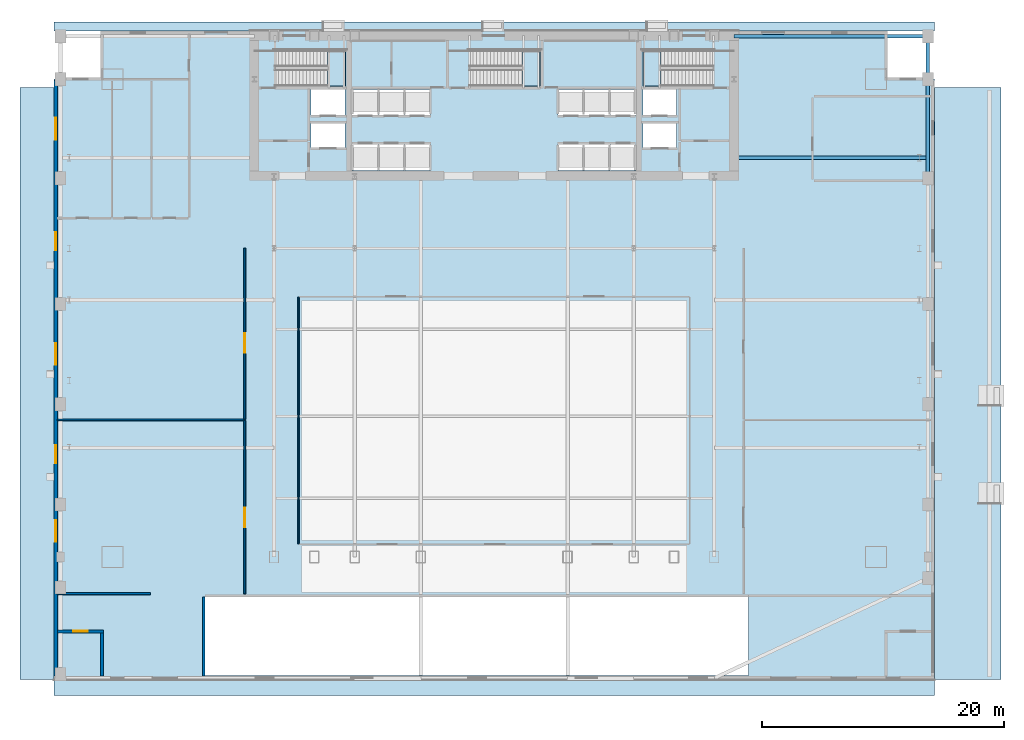
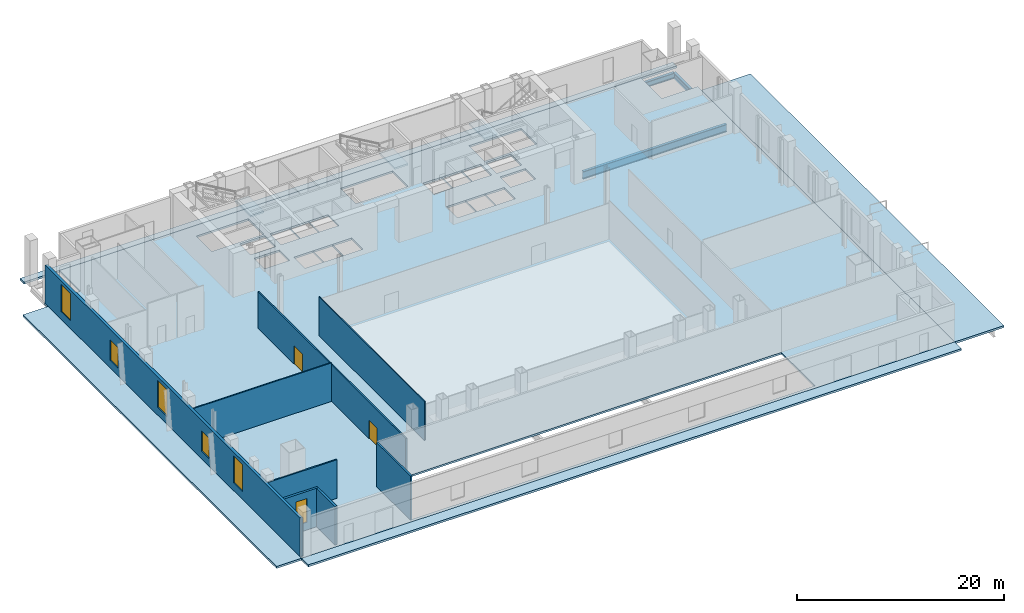
# One storey, part 7 of 16: 9 walls, 8 slabs, 6 windows, 3 beams, 2 doors, 8 openings, 3 elements without a shape of their own.
"""IFC4 building model written with IfcOpenShell, lengths in metres."""

from ifc_helpers import new_model, si_unit, direction, frame, frame_2d, origin, origin_2d, place, context, subcontext, project, spatial, polyline, rectangle, i_section, outline, extrude, material, layer, layer_set, material_profile, profile_set, type_object, element, fill, aggregate, save


model = new_model("IFC4")

# Units and contexts
model_context = context("Model", 3, precision=1e-05, world=origin(), true_north=direction((0.0, 1.0)))
body_context = subcontext(model_context, "Body", "Model", "MODEL_VIEW")
ifc_project = project(units=[si_unit("LENGTHUNIT", "METRE"), si_unit("AREAUNIT", "SQUARE_METRE"), si_unit("VOLUMEUNIT", "CUBIC_METRE"), si_unit("PLANEANGLEUNIT", "RADIAN"), si_unit("MASSUNIT", "GRAM", prefix="KILO")], contexts=[model_context])

# Site, building, storey
site_placement = place(None, origin())
site = spatial("IfcSite", under=ifc_project, at=site_placement, CompositionType="ELEMENT")
building_placement = place(site_placement, origin())
building = spatial("IfcBuilding", under=site, at=building_placement, Name="Khoronbel Lancet Exchange", CompositionType="ELEMENT")
storey_placement = place(building_placement, origin())
storey = spatial("IfcBuildingStorey", under=building, at=storey_placement, Name="L00", CompositionType="ELEMENT", Elevation=0.0)

# Beams
ifc_material_1 = material(Name="Steel S355", Category="steel")
ifc_material_profile_1 = material_profile(ifc_material_1, i_section(OverallWidth=0.300048828125, OverallDepth=0.89990234375, WebThickness=0.0185546875, FlangeThickness=0.034912109375, at=origin_2d()), Name="HEB 900")
ifc_profile_set_1 = profile_set([ifc_material_profile_1], Name="Steel S355")
beam_type_1 = type_object("IfcBeamType", Name="BM-BG1", PredefinedType="BEAM", material=ifc_profile_set_1)
beam_1_placement = place(storey_placement, frame((56.300048828125, 43.199951171875, -0.669921875), z_axis=(1.0, 0.0, 0.0), x_axis=(0.0, 1.0, 0.0)))
element("IfcBeam", 1, at=beam_1_placement, inside=storey, type_object=beam_type_1, Name="Level L00 east lens tie girder LG3E", PredefinedType="BEAM", context=body_context, shape_type="SweptSolid", body=[
    extrude(i_section(OverallWidth=0.300048828125, OverallDepth=0.89990234375, WebThickness=0.0185546875, FlangeThickness=0.034912109375, at=origin_2d()), origin(), (0.0, 0.0, 1.0), 16.050048828125),
])
ifc_material_profile_2 = material_profile(ifc_material_1, i_section(OverallWidth=0.300048828125, OverallDepth=0.64990234375, WebThickness=0.01611328125, FlangeThickness=0.031005859375, at=origin_2d()), Name="HEB 650")
ifc_profile_set_2 = profile_set([ifc_material_profile_2], Name="Steel S355")
beam_type_2 = type_object("IfcBeamType", Name="BM-BSP1", PredefinedType="SPANDREL", material=ifc_profile_set_2)
beam_2_placement = place(storey_placement, frame((72.35009765625, 41.5, -0.574951171875), z_axis=(0.0, 1.0, 0.0), x_axis=(-1.0, 0.0, 0.0)))
element("IfcBeam", 2, at=beam_2_placement, inside=storey, type_object=beam_type_2, Name="Level L00 perimeter spandrel beam SP12", PredefinedType="SPANDREL", context=body_context, shape_type="SweptSolid", body=[
    extrude(i_section(OverallWidth=0.300048828125, OverallDepth=0.64990234375, WebThickness=0.01611328125, FlangeThickness=0.031005859375, at=origin_2d()), origin(), (0.0, 0.0, 1.0), 11.75),
])
beam_3_placement = place(storey_placement, frame((72.35009765625, 53.25, -0.574951171875), z_axis=(-1.0, 0.0, 0.0), x_axis=(0.0, -1.0, 0.0)))
element("IfcBeam", 3, at=beam_3_placement, inside=storey, type_object=beam_type_2, Name="Level L00 perimeter spandrel beam SP13", PredefinedType="SPANDREL", context=body_context, shape_type="SweptSolid", body=[
    extrude(i_section(OverallWidth=0.300048828125, OverallDepth=0.64990234375, WebThickness=0.01611328125, FlangeThickness=0.031005859375, at=origin_2d()), origin(), (0.0, 0.0, 1.0), 16.050048828125),
])

# Slabs
ifc_material_2 = material(Name="Concrete C40/50", Category="concrete")
ifc_layer_1 = layer(ifc_material_2, 0.239990234375, Name="Concrete C40/50")
ifc_layer_set_1 = layer_set([ifc_layer_1], Name="Concrete C40/50")
slab_type_1 = type_object("IfcSlabType", Name="SL-APR220", PredefinedType="FLOOR", material=ifc_layer_set_1)
slab_1_placement = place(storey_placement, frame((0.0, 0.0, -0.239990234375)))
element("IfcSlab", 4, at=slab_1_placement, inside=storey, type_object=slab_type_1, Name="Level L00 east boulevard colonnade and vehicle ramp apron", PredefinedType="FLOOR", context=body_context, shape_type="SweptSolid", body=[
    extrude(outline(polyline([(72.89990234375, 0.0), (78.39990234375, 0.0), (78.39990234375, 49.0), (72.89990234375, 49.0), (72.89990234375, 0.0)])), origin(), (0.0, 0.0, 1.0), 0.239990234375),
])
slab_2_placement = place(storey_placement, frame((0.0, 0.0, -0.239990234375)))
element("IfcSlab", 5, at=slab_2_placement, inside=storey, type_object=slab_type_1, Name="Level L00 west boulevard colonnade apron", PredefinedType="FLOOR", context=body_context, shape_type="SweptSolid", body=[
    extrude(outline(polyline([(-2.800048828125, 0.0), (0.0, 0.0), (0.0, 49.0), (-2.800048828125, 49.0), (-2.800048828125, 0.0)])), origin(), (0.0, 0.0, 1.0), 0.239990234375),
])
slab_3_placement = place(storey_placement, frame((0.0, 0.0, -0.239990234375)))
element("IfcSlab", 6, at=slab_3_placement, inside=storey, type_object=slab_type_1, Name="Level L00 north boulevard exit discharge plaza apron", PredefinedType="FLOOR", context=body_context, shape_type="SweptSolid", body=[
    extrude(outline(polyline([(0.0, 53.699951171875), (72.89990234375, 53.699951171875), (72.89990234375, 54.449951171875), (0.0, 54.449951171875), (0.0, 53.699951171875)])), origin(), (0.0, 0.0, 1.0), 0.239990234375),
])
slab_4_placement = place(storey_placement, frame((0.0, 0.0, -0.239990234375)))
element("IfcSlab", 7, at=slab_4_placement, inside=storey, type_object=slab_type_1, Name="Level L00 south ceremonial plaza threshold apron", PredefinedType="FLOOR", context=body_context, shape_type="SweptSolid", body=[
    extrude(outline(polyline([(0.0, -1.300048828125), (72.89990234375, -1.300048828125), (72.89990234375, 0.0), (0.0, 0.0), (0.0, -1.300048828125)])), origin(), (0.0, 0.0, 1.0), 0.239990234375),
])
ifc_layer_2 = layer(ifc_material_2, 0.219970703125, Name="Concrete C40/50")
ifc_layer_set_2 = layer_set([ifc_layer_2], Name="Concrete C40/50")
slab_type_2 = type_object("IfcSlabType", Name="SL-FL220", PredefinedType="FLOOR", material=ifc_layer_set_2)
slab_5_placement = place(storey_placement, frame((0.0, 0.0, -0.219970703125)))
element("IfcSlab", 8, at=slab_5_placement, inside=storey, type_object=slab_type_2, Name="Level L00 composite structural floor slab", PredefinedType="FLOOR", context=body_context, shape_type="SweptSolid", body=[
    extrude(outline(polyline([(0.0, 0.0), (72.89990234375, 0.0), (72.89990234375, 49.699951171875), (68.89990234375, 49.699951171875), (68.89990234375, 53.699951171875), (4.0, 53.699951171875), (4.0, 49.699951171875), (0.0, 49.699951171875), (0.0, 0.0)]), holes=[polyline([(18.324951171875, 49.1201171875), (24.14990234375, 49.1201171875), (24.14990234375, 52.10009765625), (18.324951171875, 52.10009765625), (18.324951171875, 49.1201171875)]), polyline([(48.75, 49.1201171875), (54.574951171875, 49.1201171875), (54.574951171875, 52.10009765625), (48.75, 52.10009765625), (48.75, 49.1201171875)]), polyline([(34.425048828125, 49.1201171875), (40.25, 49.1201171875), (40.25, 52.10009765625), (34.425048828125, 52.10009765625), (34.425048828125, 49.1201171875)]), polyline([(24.699951171875, 46.75), (26.840087890625, 46.75), (26.840087890625, 48.85009765625), (24.699951171875, 48.85009765625), (24.699951171875, 46.75)]), polyline([(26.860107421875, 46.75), (29.0, 46.75), (29.0, 48.85009765625), (26.860107421875, 48.85009765625), (26.860107421875, 46.75)]), polyline([(29.02001953125, 46.75), (31.159912109375, 46.75), (31.159912109375, 48.85009765625), (29.02001953125, 48.85009765625), (29.02001953125, 46.75)]), polyline([(24.699951171875, 42.14990234375), (26.840087890625, 42.14990234375), (26.840087890625, 44.300048828125), (24.699951171875, 44.300048828125), (24.699951171875, 42.14990234375)]), polyline([(26.860107421875, 42.14990234375), (29.0, 42.14990234375), (29.0, 44.300048828125), (26.860107421875, 44.300048828125), (26.860107421875, 42.14990234375)]), polyline([(29.02001953125, 42.14990234375), (31.159912109375, 42.14990234375), (31.159912109375, 44.300048828125), (29.02001953125, 44.300048828125), (29.02001953125, 42.14990234375)]), polyline([(41.739990234375, 46.75), (43.8798828125, 46.75), (43.8798828125, 48.85009765625), (41.739990234375, 48.85009765625), (41.739990234375, 46.75)]), polyline([(43.89990234375, 46.75), (46.0400390625, 46.75), (46.0400390625, 48.85009765625), (43.89990234375, 48.85009765625), (43.89990234375, 46.75)]), polyline([(46.06005859375, 46.75), (48.199951171875, 46.75), (48.199951171875, 48.85009765625), (46.06005859375, 48.85009765625), (46.06005859375, 46.75)]), polyline([(41.739990234375, 42.14990234375), (43.8798828125, 42.14990234375), (43.8798828125, 44.300048828125), (41.739990234375, 44.300048828125), (41.739990234375, 42.14990234375)]), polyline([(43.89990234375, 42.14990234375), (46.0400390625, 42.14990234375), (46.0400390625, 44.300048828125), (43.89990234375, 44.300048828125), (43.89990234375, 42.14990234375)]), polyline([(46.06005859375, 42.14990234375), (48.199951171875, 42.14990234375), (48.199951171875, 44.300048828125), (46.06005859375, 44.300048828125), (46.06005859375, 42.14990234375)]), polyline([(21.300048828125, 46.75), (24.10009765625, 46.75), (24.10009765625, 48.85009765625), (21.300048828125, 48.85009765625), (21.300048828125, 46.75)]), polyline([(48.75, 46.75), (51.550048828125, 46.75), (51.550048828125, 48.85009765625), (48.75, 48.85009765625), (48.75, 46.75)]), polyline([(21.300048828125, 44.050048828125), (24.10009765625, 44.050048828125), (24.10009765625, 46.050048828125), (21.300048828125, 46.050048828125), (21.300048828125, 44.050048828125)]), polyline([(48.75, 44.050048828125), (51.550048828125, 44.050048828125), (51.550048828125, 46.050048828125), (48.75, 46.050048828125), (48.75, 44.050048828125)]), polyline([(12.5, 0.35009765625), (57.5, 0.35009765625), (57.5, 6.85009765625), (12.5, 6.85009765625), (12.5, 0.35009765625)])]), origin(), (0.0, 0.0, 1.0), 0.219970703125),
])

# Stair, slab
stair_type = type_object("IfcStairType", Name="STR-CORE150", PredefinedType="HALF_TURN_STAIR", material=ifc_material_2)
stair_1_placement = place(storey_placement, origin())
stair_1 = element("IfcStair", 9, at=stair_1_placement, inside=storey, type_object=stair_type, Name="L00 Protected Exit Stair ST1", PredefinedType="HALF_TURN_STAIR")
ifc_layer_3 = layer(ifc_material_2, 0.199951171875, Name="Concrete C40/50")
ifc_layer_set_3 = layer_set([ifc_layer_3], Name="Concrete C40/50")
slab_type_3 = type_object("IfcSlabType", Name="SL-LND180", PredefinedType="LANDING", material=ifc_layer_set_3)
slab_6_placement = place(storey_placement, frame((0.0, 0.0, 2.5)))
slab_6 = element("IfcSlab", 10, at=slab_6_placement, type_object=slab_type_3, Name="ST1 landing 1", PredefinedType="LANDING", context=body_context, shape_type="SweptSolid", body=[
    extrude(outline(polyline([(22.64990234375, 49.1201171875), (24.14990234375, 49.1201171875), (24.14990234375, 52.10009765625), (22.64990234375, 52.10009765625), (22.64990234375, 49.1201171875)])), origin(), (0.0, 0.0, 1.0), 0.199951171875),
])
aggregate(stair_1, [slab_6])

stair_2_placement = place(storey_placement, origin())
stair_2 = element("IfcStair", 11, at=stair_2_placement, inside=storey, type_object=stair_type, Name="L00 Protected Exit Stair ST2", PredefinedType="HALF_TURN_STAIR")
slab_7_placement = place(storey_placement, frame((0.0, 0.0, 2.5)))
slab_7 = element("IfcSlab", 12, at=slab_7_placement, type_object=slab_type_3, Name="ST2 landing 1", PredefinedType="LANDING", context=body_context, shape_type="SweptSolid", body=[
    extrude(outline(polyline([(50.25, 52.10009765625), (48.75, 52.10009765625), (48.75, 49.1201171875), (50.25, 49.1201171875), (50.25, 52.10009765625)])), origin(), (0.0, 0.0, 1.0), 0.199951171875),
])
aggregate(stair_2, [slab_7])

stair_3_placement = place(storey_placement, origin())
stair_3 = element("IfcStair", 13, at=stair_3_placement, inside=storey, type_object=stair_type, Name="L00 Protected Exit Stair ST3", PredefinedType="HALF_TURN_STAIR")
slab_8_placement = place(storey_placement, frame((0.0, 0.0, 2.5)))
slab_8 = element("IfcSlab", 14, at=slab_8_placement, type_object=slab_type_3, Name="ST3 landing 1", PredefinedType="LANDING", context=body_context, shape_type="SweptSolid", body=[
    extrude(outline(polyline([(38.75, 49.1201171875), (40.25, 49.1201171875), (40.25, 52.10009765625), (38.75, 52.10009765625), (38.75, 49.1201171875)])), origin(), (0.0, 0.0, 1.0), 0.199951171875),
])
aggregate(stair_3, [slab_8])

# Wall, opening, window
ifc_material_3 = material(Name="Precast concrete C40/50", Category="concrete")
ifc_layer_4 = layer(ifc_material_3, 0.25, Name="Precast concrete C40/50")
ifc_layer_set_4 = layer_set([ifc_layer_4], Name="Precast concrete C40/50")
wall_type_1 = type_object("IfcWallType", Name="WL-EXT250", PredefinedType="SOLIDWALL", material=ifc_layer_set_4)
wall_1_placement = place(storey_placement, frame((4.125, 4.0, 0.0), z_axis=(0.0, 0.0, 1.0), x_axis=(-1.0, 0.0, 0.0)))
wall_1 = element("IfcWall", 15, at=wall_1_placement, inside=storey, type_object=wall_type_1, Name="Level L00 corner notch exterior wall SWL0", PredefinedType="SOLIDWALL", context=body_context, shape_type="SweptSolid", body=[
    extrude(rectangle(XDim=3.824951171875, YDim=0.25, at=frame_2d((1.91259765625, 0.0))), origin(), (0.0, 0.0, 1.0), 4.5400390625),
])
opening_1_placement = place(wall_1_placement, frame((1.3125, 0.0, 0.89990234375)))
opening_1 = element("IfcOpeningElement", 16, at=opening_1_placement, cuts=wall_1, Name="Opening W2", PredefinedType="OPENING", context=body_context, shape_type="SweptSolid", body=[
    extrude(rectangle(XDim=1.199951171875, YDim=2.800048828125, at=frame_2d((0.60009765625, 1.39990234375))), frame((0.0, 0.135009765625, 0.0), z_axis=(0.0, -1.0, 0.0), x_axis=(1.0, 0.0, 0.0)), (0.0, 0.0, 1.0), 0.27001953125),
])
ifc_material_4 = material(Name="Low-E Solar Control Insulating Glass", Category="glass")
window_type_1 = type_object("IfcWindowType", Name="WIN-W2", PartitioningType="SINGLE_PANEL", PredefinedType="WINDOW", material=ifc_material_4)
window_1_placement = place(opening_1_placement, origin())
window_1 = element("IfcWindow", 17, at=window_1_placement, inside=storey, type_object=window_type_1, Name="WIN-L00-SWL0", OverallHeight=2.800048828125, OverallWidth=1.199951171875, PartitioningType="SINGLE_PANEL", PredefinedType="WINDOW", context=body_context, shape_type="SweptSolid", body=[
    extrude(rectangle(XDim=1.199951171875, YDim=2.800048828125, at=frame_2d((0.60009765625, 1.39990234375))), frame((0.0, 0.030029296875, 0.0), z_axis=(0.0, -1.0, 0.0), x_axis=(1.0, 0.0, 0.0)), (0.0, 0.0, 1.0), 0.06005859375),
])
fill(opening_1, window_1)

# Wall
wall_2_placement = place(storey_placement, frame((4.0, 0.300048828125, 0.0), z_axis=(0.0, 0.0, 1.0), x_axis=(0.0, 1.0, 0.0)))
element("IfcWall", 18, at=wall_2_placement, inside=storey, type_object=wall_type_1, Name="Level L00 corner notch exterior wall SWV0", PredefinedType="SOLIDWALL", context=body_context, shape_type="SweptSolid", body=[
    extrude(rectangle(XDim=3.574951171875, YDim=0.25, at=frame_2d((1.78759765625, 0.0))), origin(), (0.0, 0.0, 1.0), 4.5400390625),
])

# Wall, openings, windows
ifc_layer_5 = layer(ifc_material_3, 0.300048828125, Name="Precast concrete C40/50")
ifc_layer_set_5 = layer_set([ifc_layer_5], Name="Precast concrete C40/50")
wall_type_2 = type_object("IfcWallType", Name="WL-EXT300", PredefinedType="SOLIDWALL", material=ifc_layer_set_5)
wall_3_placement = place(storey_placement, frame((0.14990234375, 49.574951171875, 0.0), z_axis=(0.0, 0.0, 1.0), x_axis=(0.0, -1.0, 0.0)))
wall_3 = element("IfcWall", 19, at=wall_3_placement, inside=storey, type_object=wall_type_2, Name="Level L00 west boulevard stone colonnade wall", PredefinedType="SOLIDWALL", context=body_context, shape_type="SweptSolid", body=[
    extrude(rectangle(XDim=49.27490234375, YDim=0.300048828125, at=frame_2d((24.637451171875, 0.0))), origin(), (0.0, 0.0, 1.0), 4.5400390625),
])
opening_2_placement = place(wall_3_placement, frame((3.074951171875, 0.0, 0.89990234375)))
opening_2 = element("IfcOpeningElement", 20, at=opening_2_placement, cuts=wall_3, Name="Opening W1", PredefinedType="OPENING", context=body_context, shape_type="SweptSolid", body=[
    extrude(rectangle(XDim=1.800048828125, YDim=3.199951171875, at=frame_2d((0.89990234375, 1.60009765625))), frame((0.0, 0.16015625, 0.0), z_axis=(0.0, -1.0, 0.0), x_axis=(1.0, 0.0, 0.0)), (0.0, 0.0, 1.0), 0.320068359375),
])
opening_3_placement = place(wall_3_placement, frame((12.52490234375, 0.0, 0.89990234375)))
opening_3 = element("IfcOpeningElement", 21, at=opening_3_placement, cuts=wall_3, Name="Opening W4", PredefinedType="OPENING", context=body_context, shape_type="SweptSolid", body=[
    extrude(rectangle(XDim=1.5, YDim=2.39990234375, at=frame_2d((0.75, 1.199951171875))), frame((0.0, 0.16015625, 0.0), z_axis=(0.0, -1.0, 0.0), x_axis=(1.0, 0.0, 0.0)), (0.0, 0.0, 1.0), 0.320068359375),
])
opening_4_placement = place(wall_3_placement, frame((21.72509765625, 0.0, 0.89990234375)))
opening_4 = element("IfcOpeningElement", 22, at=opening_4_placement, cuts=wall_3, Name="Opening W1", PredefinedType="OPENING", context=body_context, shape_type="SweptSolid", body=[
    extrude(rectangle(XDim=1.800048828125, YDim=3.199951171875, at=frame_2d((0.89990234375, 1.60009765625))), frame((0.0, 0.16015625, 0.0), z_axis=(0.0, -1.0, 0.0), x_axis=(1.0, 0.0, 0.0)), (0.0, 0.0, 1.0), 0.320068359375),
])
opening_5_placement = place(wall_3_placement, frame((30.175048828125, 0.0, 0.89990234375)))
opening_5 = element("IfcOpeningElement", 23, at=opening_5_placement, cuts=wall_3, Name="Opening W4", PredefinedType="OPENING", context=body_context, shape_type="SweptSolid", body=[
    extrude(rectangle(XDim=1.5, YDim=2.39990234375, at=frame_2d((0.75, 1.199951171875))), frame((0.0, 0.16015625, 0.0), z_axis=(0.0, -1.0, 0.0), x_axis=(1.0, 0.0, 0.0)), (0.0, 0.0, 1.0), 0.320068359375),
])
opening_6_placement = place(wall_3_placement, frame((36.375, 0.0, 0.89990234375)))
opening_6 = element("IfcOpeningElement", 24, at=opening_6_placement, cuts=wall_3, Name="Opening W1", PredefinedType="OPENING", context=body_context, shape_type="SweptSolid", body=[
    extrude(rectangle(XDim=1.800048828125, YDim=3.199951171875, at=frame_2d((0.89990234375, 1.60009765625))), frame((0.0, 0.16015625, 0.0), z_axis=(0.0, -1.0, 0.0), x_axis=(1.0, 0.0, 0.0)), (0.0, 0.0, 1.0), 0.320068359375),
])
window_type_2 = type_object("IfcWindowType", Name="WIN-W1", PartitioningType="SINGLE_PANEL", PredefinedType="WINDOW", material=ifc_material_4)
window_2_placement = place(opening_2_placement, origin())
window_2 = element("IfcWindow", 25, at=window_2_placement, inside=storey, type_object=window_type_2, Name="WIN-L00-W-1", OverallHeight=3.199951171875, OverallWidth=1.800048828125, PartitioningType="SINGLE_PANEL", PredefinedType="WINDOW", context=body_context, shape_type="SweptSolid", body=[
    extrude(rectangle(XDim=1.800048828125, YDim=3.199951171875, at=frame_2d((0.89990234375, 1.60009765625))), frame((0.0, 0.030029296875, 0.0), z_axis=(0.0, -1.0, 0.0), x_axis=(1.0, 0.0, 0.0)), (0.0, 0.0, 1.0), 0.06005859375),
])
fill(opening_2, window_2)
window_3_placement = place(opening_4_placement, origin())
window_3 = element("IfcWindow", 26, at=window_3_placement, inside=storey, type_object=window_type_2, Name="WIN-L00-W-3", OverallHeight=3.199951171875, OverallWidth=1.800048828125, PartitioningType="SINGLE_PANEL", PredefinedType="WINDOW", context=body_context, shape_type="SweptSolid", body=[
    extrude(rectangle(XDim=1.800048828125, YDim=3.199951171875, at=frame_2d((0.89990234375, 1.60009765625))), frame((0.0, 0.030029296875, 0.0), z_axis=(0.0, -1.0, 0.0), x_axis=(1.0, 0.0, 0.0)), (0.0, 0.0, 1.0), 0.06005859375),
])
fill(opening_4, window_3)
window_4_placement = place(opening_6_placement, origin())
window_4 = element("IfcWindow", 27, at=window_4_placement, inside=storey, type_object=window_type_2, Name="WIN-L00-W-5", OverallHeight=3.199951171875, OverallWidth=1.800048828125, PartitioningType="SINGLE_PANEL", PredefinedType="WINDOW", context=body_context, shape_type="SweptSolid", body=[
    extrude(rectangle(XDim=1.800048828125, YDim=3.199951171875, at=frame_2d((0.89990234375, 1.60009765625))), frame((0.0, 0.030029296875, 0.0), z_axis=(0.0, -1.0, 0.0), x_axis=(1.0, 0.0, 0.0)), (0.0, 0.0, 1.0), 0.06005859375),
])
fill(opening_6, window_4)
window_type_3 = type_object("IfcWindowType", Name="WIN-W4", PartitioningType="SINGLE_PANEL", PredefinedType="WINDOW", material=ifc_material_4)
window_5_placement = place(opening_3_placement, origin())
window_5 = element("IfcWindow", 28, at=window_5_placement, inside=storey, type_object=window_type_3, Name="WIN-L00-W-2", OverallHeight=2.39990234375, OverallWidth=1.5, PartitioningType="SINGLE_PANEL", PredefinedType="WINDOW", context=body_context, shape_type="SweptSolid", body=[
    extrude(rectangle(XDim=1.5, YDim=2.39990234375, at=frame_2d((0.75, 1.199951171875))), frame((0.0, 0.030029296875, 0.0), z_axis=(0.0, -1.0, 0.0), x_axis=(1.0, 0.0, 0.0)), (0.0, 0.0, 1.0), 0.06005859375),
])
fill(opening_3, window_5)
window_6_placement = place(opening_5_placement, origin())
window_6 = element("IfcWindow", 29, at=window_6_placement, inside=storey, type_object=window_type_3, Name="WIN-L00-W-4", OverallHeight=2.39990234375, OverallWidth=1.5, PartitioningType="SINGLE_PANEL", PredefinedType="WINDOW", context=body_context, shape_type="SweptSolid", body=[
    extrude(rectangle(XDim=1.5, YDim=2.39990234375, at=frame_2d((0.75, 1.199951171875))), frame((0.0, 0.030029296875, 0.0), z_axis=(0.0, -1.0, 0.0), x_axis=(1.0, 0.0, 0.0)), (0.0, 0.0, 1.0), 0.06005859375),
])
fill(opening_5, window_6)

# Walls
ifc_material_5 = material(Name="Demountable Bronze-Framed Acoustic Glass Partition 100 mm", Category="glass")
ifc_layer_6 = layer(ifc_material_5, 0.10009765625, Name="Demountable Bronze-Framed Acoustic Glass Partition 100 mm")
ifc_layer_set_6 = layer_set([ifc_layer_6], Name="Demountable Bronze-Framed Acoustic Glass Partition 100 mm")
wall_type_3 = type_object("IfcWallType", Name="WL-MOV100", PredefinedType="MOVABLE", material=ifc_layer_set_6)
wall_4_placement = place(storey_placement, frame((20.25, 11.2548828125, 0.0), z_axis=(0.0, 0.0, 1.0), x_axis=(0.0, 1.0, 0.0)))
element("IfcWall", 30, at=wall_4_placement, inside=storey, type_object=wall_type_3, Name="Level L00 interior partition PW-L00-HW", PredefinedType="MOVABLE", context=body_context, shape_type="SweptSolid", body=[
    extrude(rectangle(XDim=20.39013671875, YDim=0.10009765625, at=frame_2d((10.195068359375, 0.0))), origin(), (0.0, 0.0, 1.0), 4.590087890625),
])
ifc_material_6 = material(Name="Acoustic Metal-Stud & Mineral-Wool Gypsum Partition 120 mm", Category="gypsum")
ifc_layer_7 = layer(ifc_material_6, 0.1201171875, Name="Acoustic Metal-Stud & Mineral-Wool Gypsum Partition 120 mm")
ifc_layer_set_7 = layer_set([ifc_layer_7], Name="Acoustic Metal-Stud & Mineral-Wool Gypsum Partition 120 mm")
wall_type_4 = type_object("IfcWallType", Name="WL-PRT120", PredefinedType="PARTITIONING", material=ifc_layer_set_7)
wall_5_placement = place(storey_placement, frame((0.300048828125, 21.5, 0.0), z_axis=(0.0, 0.0, 1.0), x_axis=(1.0, 0.0, 0.0)))
element("IfcWall", 31, at=wall_5_placement, inside=storey, type_object=wall_type_4, Name="Level L00 interior partition PW-L00-WH", PredefinedType="PARTITIONING", context=body_context, shape_type="SweptSolid", body=[
    extrude(rectangle(XDim=15.419921875, YDim=0.1201171875, at=frame_2d((7.7099609375, 0.0))), origin(), (0.0, 0.0, 1.0), 4.5400390625),
])

# Wall, opening, door
ifc_material_7 = material(Name="Fire-Rated Twin-Stud Acoustic Gypsum Partition 150 mm", Category="gypsum")
ifc_layer_8 = layer(ifc_material_7, 0.14990234375, Name="Fire-Rated Twin-Stud Acoustic Gypsum Partition 150 mm")
ifc_layer_set_8 = layer_set([ifc_layer_8], Name="Fire-Rated Twin-Stud Acoustic Gypsum Partition 150 mm")
wall_type_5 = type_object("IfcWallType", Name="WL-PRT150C", PredefinedType="PARTITIONING", material=ifc_layer_set_8)
wall_6_placement = place(storey_placement, frame((15.800048828125, 7.1201171875, 0.0), z_axis=(0.0, 0.0, 1.0), x_axis=(0.0, 1.0, 0.0)))
wall_6 = element("IfcWall", 32, at=wall_6_placement, inside=storey, type_object=wall_type_5, Name="Level L00 interior partition PW-L00-WE1", PredefinedType="PARTITIONING", context=body_context, shape_type="SweptSolid", body=[
    extrude(rectangle(XDim=14.31494140625, YDim=0.14990234375, at=frame_2d((7.157470703125, 0.0))), origin(), (0.0, 0.0, 1.0), 4.2900390625),
])
opening_7_placement = place(wall_6_placement, frame((5.5, 0.0, 0.0)))
opening_7 = element("IfcOpeningElement", 33, at=opening_7_placement, cuts=wall_6, Name="Opening D3", PredefinedType="OPENING", context=body_context, shape_type="SweptSolid", body=[
    extrude(rectangle(XDim=1.60009765625, YDim=2.14990234375, at=frame_2d((0.800048828125, 1.074951171875))), frame((0.0, 0.0849609375, 0.0), z_axis=(0.0, -1.0, 0.0), x_axis=(1.0, 0.0, 0.0)), (0.0, 0.0, 1.0), 0.169921875),
])
ifc_material_8 = material(Name="Glazed Bronze-Framed Double Suite Door", Category="aluminium")
door_type = type_object("IfcDoorType", Name="DR-D3", OperationType="NOTDEFINED", PredefinedType="DOOR", material=ifc_material_8)
door_1_placement = place(opening_7_placement, origin())
door_1 = element("IfcDoor", 34, at=door_1_placement, inside=storey, type_object=door_type, Name="Retail banking suite door L00-1", OperationType="DOUBLE_DOOR_SINGLE_SWING", OverallHeight=2.14990234375, OverallWidth=1.60009765625, PredefinedType="DOOR", context=body_context, shape_type="SweptSolid", body=[
    extrude(rectangle(XDim=1.60009765625, YDim=2.14990234375, at=frame_2d((0.800048828125, 1.074951171875))), frame((0.0, 0.02490234375, 0.0), z_axis=(0.0, -1.0, 0.0), x_axis=(1.0, 0.0, 0.0)), (0.0, 0.0, 1.0), 0.050048828125),
])
fill(opening_7, door_1)

wall_7_placement = place(storey_placement, frame((15.800048828125, 21.56494140625, 0.0), z_axis=(0.0, 0.0, 1.0), x_axis=(0.0, 1.0, 0.0)))
wall_7 = element("IfcWall", 35, at=wall_7_placement, inside=storey, type_object=wall_type_5, Name="Level L00 interior partition PW-L00-WE2", PredefinedType="PARTITIONING", context=body_context, shape_type="SweptSolid", body=[
    extrude(rectangle(XDim=14.135009765625, YDim=0.14990234375, at=frame_2d((7.0673828125, 0.0))), origin(), (0.0, 0.0, 1.0), 4.2900390625),
])
opening_8_placement = place(wall_7_placement, frame((5.5, 0.0, 0.0)))
opening_8 = element("IfcOpeningElement", 36, at=opening_8_placement, cuts=wall_7, Name="Opening D3", PredefinedType="OPENING", context=body_context, shape_type="SweptSolid", body=[
    extrude(rectangle(XDim=1.60009765625, YDim=2.14990234375, at=frame_2d((0.800048828125, 1.074951171875))), frame((0.0, 0.0849609375, 0.0), z_axis=(0.0, -1.0, 0.0), x_axis=(1.0, 0.0, 0.0)), (0.0, 0.0, 1.0), 0.169921875),
])
door_2_placement = place(opening_8_placement, origin())
door_2 = element("IfcDoor", 37, at=door_2_placement, inside=storey, type_object=door_type, Name="Brokerage registry salon door L00-1", OperationType="DOUBLE_DOOR_SINGLE_SWING", OverallHeight=2.14990234375, OverallWidth=1.60009765625, PredefinedType="DOOR", context=body_context, shape_type="SweptSolid", body=[
    extrude(rectangle(XDim=1.60009765625, YDim=2.14990234375, at=frame_2d((0.800048828125, 1.074951171875))), frame((0.0, 0.02490234375, 0.0), z_axis=(0.0, -1.0, 0.0), x_axis=(1.0, 0.0, 0.0)), (0.0, 0.0, 1.0), 0.050048828125),
])
fill(opening_8, door_2)

# Walls
wall_8_placement = place(storey_placement, frame((0.300048828125, 7.1201171875, 0.0), z_axis=(0.0, 0.0, 1.0), x_axis=(1.0, 0.0, 0.0)))
element("IfcWall", 38, at=wall_8_placement, inside=storey, type_object=wall_type_5, Name="Level L00 interior partition PW-L00-WS0", PredefinedType="PARTITIONING", context=body_context, shape_type="SweptSolid", body=[
    extrude(rectangle(XDim=7.699951171875, YDim=0.14990234375, at=frame_2d((3.85009765625, 0.0))), origin(), (0.0, 0.0, 1.0), 4.5400390625),
])
ifc_material_9 = material(Name="Autoclaved Aerated Concrete Blockwork 200 mm", Category="masonry")
ifc_layer_9 = layer(ifc_material_9, 0.199951171875, Name="Autoclaved Aerated Concrete Blockwork 200 mm")
ifc_layer_set_9 = layer_set([ifc_layer_9], Name="Autoclaved Aerated Concrete Blockwork 200 mm")
wall_type_6 = type_object("IfcWallType", Name="WL-PRT200", PredefinedType="PARTITIONING", material=ifc_layer_set_9)
wall_9_placement = place(storey_placement, frame((12.39990234375, 0.300048828125, 0.0), z_axis=(0.0, 0.0, 1.0), x_axis=(0.0, 1.0, 0.0)))
element("IfcWall", 39, at=wall_9_placement, inside=storey, type_object=wall_type_6, Name="Level L00 interior partition PW-L00-RMPW", PredefinedType="PARTITIONING", context=body_context, shape_type="SweptSolid", body=[
    extrude(rectangle(XDim=6.544921875, YDim=0.199951171875, at=frame_2d((3.2724609375, 0.0))), origin(), (0.0, 0.0, 1.0), 5.199951171875),
])

save(model, "model.ifc")
